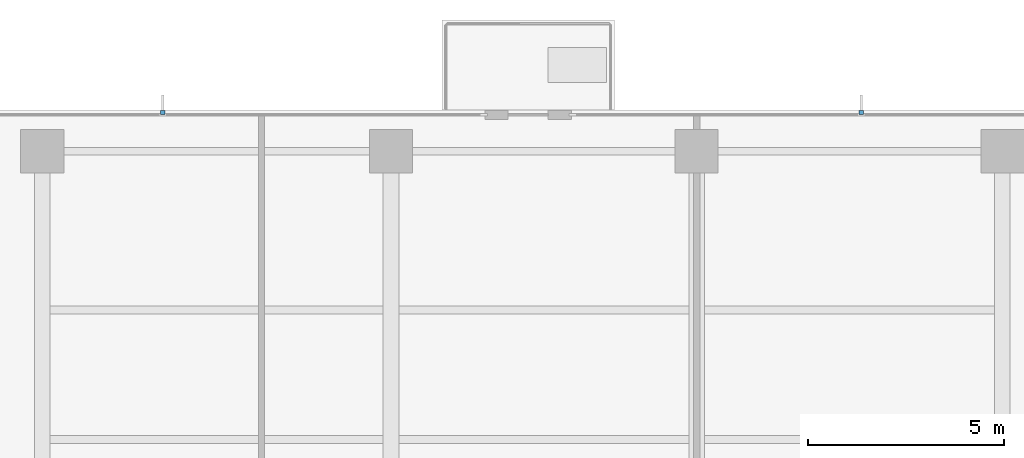
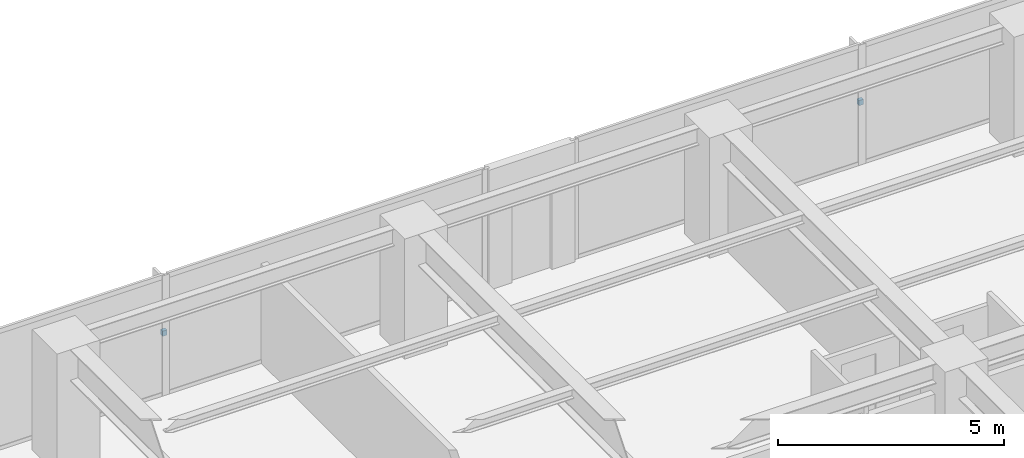
# One storey, part 13 of 15: 2 discrete accessories.
"""IFC4 building model written with IfcOpenShell, lengths in metres."""

from ifc_helpers import new_model, si_unit, direction, frame, origin, place, context, subcontext, project, spatial, polyline, outline, extrude, material, type_object, element, save


model = new_model("IFC4")

# Units and contexts
model_context = context("Model", 3, precision=1e-05, world=origin(), true_north=direction((0.0, 1.0)))
body_context = subcontext(model_context, "Body", "Model", "MODEL_VIEW")
ifc_project = project(units=[si_unit("LENGTHUNIT", "METRE"), si_unit("AREAUNIT", "SQUARE_METRE"), si_unit("VOLUMEUNIT", "CUBIC_METRE"), si_unit("PLANEANGLEUNIT", "RADIAN"), si_unit("MASSUNIT", "GRAM", prefix="KILO")], contexts=[model_context])

# Site, building, storey
site_placement = place(None, origin())
site = spatial("IfcSite", under=ifc_project, at=site_placement, CompositionType="ELEMENT")
building_placement = place(site_placement, origin())
building = spatial("IfcBuilding", under=site, at=building_placement, Name="Qalmaran Belvedere Hotel", CompositionType="ELEMENT")
storey_placement = place(building_placement, frame((0.0, 0.0, 159.60009765625)))
storey = spatial("IfcBuildingStorey", under=building, at=storey_placement, Name="L40", CompositionType="ELEMENT", Elevation=159.60009765625)

# Discrete accessories
ifc_material = material(Name="Stainless Steel 1.4401", Category="steel")
discrete_accessory_type = type_object("IfcDiscreteAccessoryType", Name="BRK-FIN-SS316", PredefinedType="BRACKET", material=ifc_material)
discrete_accessory_1_placement = place(storey_placement, frame((0.0, 0.0, 1.574951171875)))
element("IfcDiscreteAccessory", 1, at=discrete_accessory_1_placement, inside=storey, type_object=discrete_accessory_type, Name="L40 Fin Bracket 1", PredefinedType="BRACKET", context=body_context, shape_type="SweptSolid", body=[
    extrude(outline(polyline([(23.429931640625, 44.39501953125), (23.429931640625, 44.489990234375), (23.320068359375, 44.489990234375), (23.320068359375, 44.39501953125), (23.429931640625, 44.39501953125)])), origin(), (0.0, 0.0, 1.0), 0.139892578125),
])
discrete_accessory_2_placement = place(storey_placement, frame((0.0, 0.0, 1.574951171875)))
element("IfcDiscreteAccessory", 2, at=discrete_accessory_2_placement, inside=storey, type_object=discrete_accessory_type, Name="L40 Fin Bracket 1", PredefinedType="BRACKET", context=body_context, shape_type="SweptSolid", body=[
    extrude(outline(polyline([(41.2548828125, 44.39501953125), (41.2548828125, 44.489990234375), (41.14501953125, 44.489990234375), (41.14501953125, 44.39501953125), (41.2548828125, 44.39501953125)])), origin(), (0.0, 0.0, 1.0), 0.139892578125),
])

save(model, "model.ifc")
